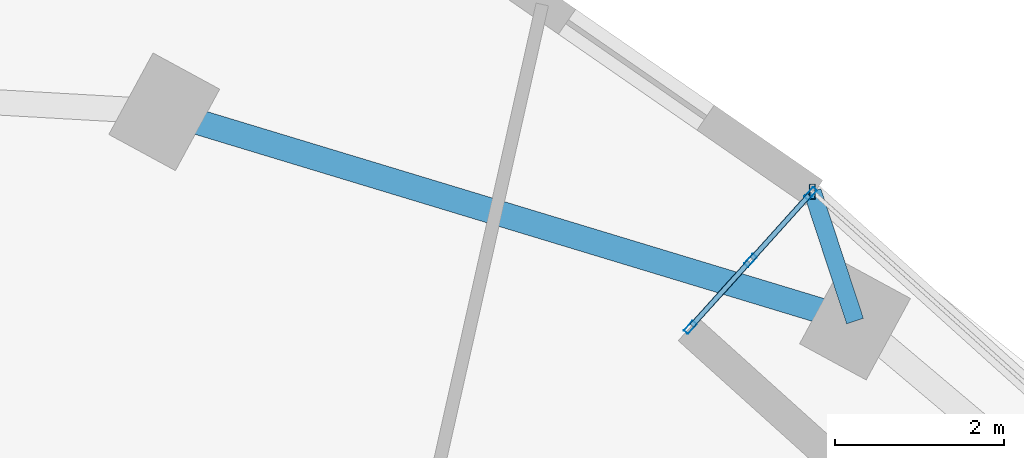
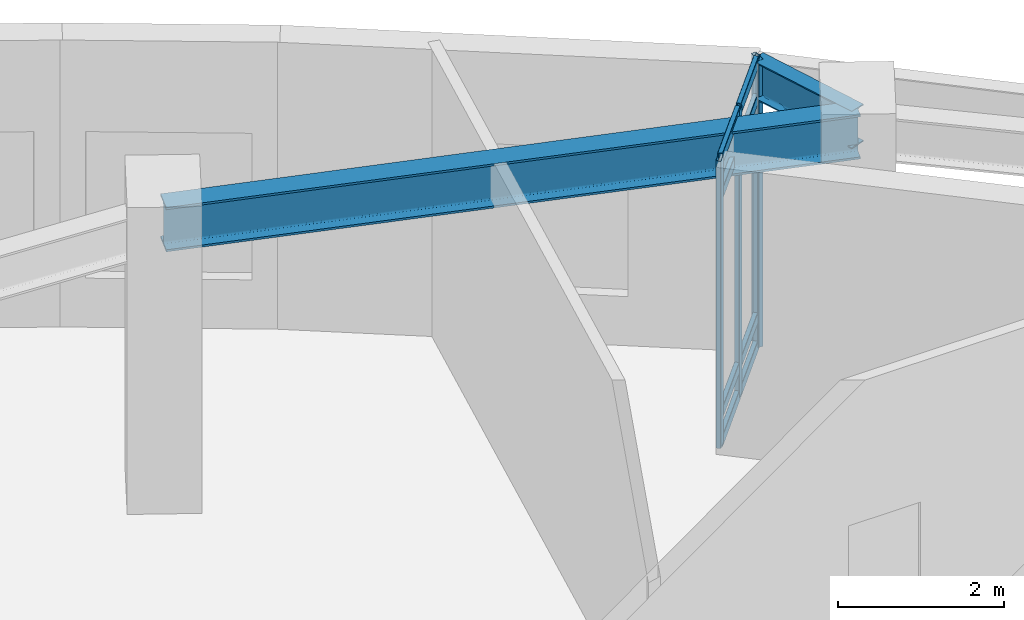
# One storey, part 11 of 19: 12 members, 2 beams, 1 element without a shape of its own.
"""IFC4 building model written with IfcOpenShell, lengths in metres."""

import ifcopenshell
import ifcopenshell.guid

model = None  # the IFC model being written
_history = None  # IfcOwnerHistory: only IFC2X3 demands one
_inside = {}  # id of a spatial element -> (the spatial element, [elements in it])
_under = {}  # id of a project, library or spatial element -> (it, [spatial elements below it])
_declared = {}  # id of a project -> (the project, [libraries it declares])
_typed = {}  # id of a type object -> (the type object, [elements of that type])
_made_of = {}  # id of a material, layer set ... -> (it, [elements and type objects made of it])


def new_model(schema):
    """Start an empty IFC model of exactly this schema.

    Asked for "IFC4X3", IfcOpenShell would pick the latest addendum, in which some entities
    have other attributes; the version numbers below select the first issue.
    IFC2X3 requires an IfcOwnerHistory on every rooted entity: one is made here for all.
    """
    global model, _history
    if schema == "IFC4X3":
        model = ifcopenshell.file(schema_version=(4, 3, 0, 0))
    else:
        model = ifcopenshell.file(schema=schema)
    _inside.clear()
    _under.clear()
    _declared.clear()
    _typed.clear()
    _made_of.clear()
    _history = None
    if model.schema == "IFC2X3":
        org = make("IfcOrganization", Name="unknown")
        user = make(
            "IfcPersonAndOrganization",
            ThePerson=make("IfcPerson", FamilyName="unknown"),
            TheOrganization=org,
        )
        app = make(
            "IfcApplication",
            ApplicationDeveloper=org,
            Version="unknown",
            ApplicationFullName="unknown",
            ApplicationIdentifier="unknown",
        )
        _history = make(
            "IfcOwnerHistory",
            OwningUser=user,
            OwningApplication=app,
            ChangeAction="ADDED",
            CreationDate=0,
        )
    return model


def make(cls, **values):
    """One entity of the class cls with the attributes given. An attribute that is None is left unset."""
    return model.create_entity(
        cls, **{name: value for name, value in values.items() if value is not None}
    )


def rooted(cls, **values):
    """An entity with a GlobalId (a new one), such as an element, a storey or a relation."""
    return make(cls, GlobalId=ifcopenshell.guid.new(), OwnerHistory=_history, **values)


def si_unit(unit_type, name, prefix=None):
    """IfcSIUnit, for example si_unit("LENGTHUNIT", "METRE", prefix="MILLI")."""
    return make("IfcSIUnit", UnitType=unit_type, Prefix=prefix, Name=name)


def assignment(units):
    """IfcUnitAssignment: the units of a project."""
    return None if units is None else make("IfcUnitAssignment", Units=units)


def point(xyz):
    """IfcCartesianPoint."""
    return None if xyz is None else make("IfcCartesianPoint", Coordinates=xyz)


def direction(xyz):
    """IfcDirection."""
    return None if xyz is None else make("IfcDirection", DirectionRatios=xyz)


def frame(location, z_axis=None, x_axis=None):
    """IfcAxis2Placement3D, a coordinate frame: its origin and axes. An axis left out is left unset."""
    return make(
        "IfcAxis2Placement3D",
        Location=point(location),
        Axis=direction(z_axis),
        RefDirection=direction(x_axis),
    )


def frame_2d(location, x_axis=None):
    """IfcAxis2Placement2D, a coordinate frame in the plane: its origin and x axis."""
    return make(
        "IfcAxis2Placement2D", Location=point(location), RefDirection=direction(x_axis)
    )


def origin():
    """The frame at (0, 0, 0) with its axes left unset."""
    return frame((0.0, 0.0, 0.0))


def origin_2d():
    """The frame at (0, 0) in the plane with its x axis left unset."""
    return frame_2d((0.0, 0.0))


def place(relative_to, where):
    """IfcLocalPlacement: puts the frame where relative to a parent placement (None: the world)."""
    return make(
        "IfcLocalPlacement", PlacementRelTo=relative_to, RelativePlacement=where
    )


def context(
    kind, dimensions, precision=None, world=None, true_north=None, identifier=None
):
    """IfcGeometricRepresentationContext, for example the 3D "Model" context."""
    return make(
        "IfcGeometricRepresentationContext",
        ContextIdentifier=identifier,
        ContextType=kind,
        CoordinateSpaceDimension=dimensions,
        Precision=precision,
        WorldCoordinateSystem=world,
        TrueNorth=true_north,
    )


def subcontext(parent, identifier, kind, view, scale=None):
    """IfcGeometricRepresentationSubContext, for example "Body" below "Model"."""
    return make(
        "IfcGeometricRepresentationSubContext",
        ContextIdentifier=identifier,
        ContextType=kind,
        ParentContext=parent,
        TargetScale=scale,
        TargetView=view,
    )


def project(units=None, contexts=None):
    """IfcProject with its units and contexts."""
    return rooted(
        "IfcProject",
        Name="project",
        RepresentationContexts=contexts,
        UnitsInContext=assignment(units),
    )


def spatial(cls, under=None, at=None, **own):
    """A site, building, storey or space (cls), placed at a placement, below another one or the project."""
    s = rooted(cls, ObjectPlacement=at, **own)
    if under is not None:
        _under.setdefault(under.id(), (under, []))[1].append(s)
    return s


def profile(cls, at=None, kind="AREA", **sizes):
    """A parametric profile (cls). Its sizes go by their IFC names, for example OverallWidth=200.0."""
    return make(cls, ProfileType=kind, Position=at, **sizes)


def hollow_rectangle(**sizes):
    """IfcRectangleHollowProfileDef."""
    return profile("IfcRectangleHollowProfileDef", **sizes)


def i_section(**sizes):
    """IfcIShapeProfileDef."""
    return profile("IfcIShapeProfileDef", **sizes)


def extrude(swept, where, along, depth):
    """IfcExtrudedAreaSolid: the profile swept, set in the frame where, extruded along a direction by depth."""
    return make(
        "IfcExtrudedAreaSolid",
        SweptArea=swept,
        Position=where,
        ExtrudedDirection=direction(along),
        Depth=depth,
    )


def shape(context_of_items, identifier, shape_type, items):
    """IfcShapeRepresentation: the items that make up one representation, for example the "Body"."""
    return make(
        "IfcShapeRepresentation",
        ContextOfItems=context_of_items,
        RepresentationIdentifier=identifier,
        RepresentationType=shape_type,
        Items=items,
    )


def material(Name=None, Category=None):
    """IfcMaterial."""
    return make("IfcMaterial", Name=Name, Category=Category)


def layer(
    of_material, thickness, ventilated=None, Name=None, Category=None, Priority=None
):
    """IfcMaterialLayer: one layer of a wall or slab, of a material (None: an air gap)."""
    return make(
        "IfcMaterialLayer",
        Material=of_material,
        LayerThickness=thickness,
        IsVentilated=ventilated,
        Name=Name,
        Category=Category,
        Priority=Priority,
    )


def layer_set(layers, Name=None):
    """IfcMaterialLayerSet."""
    return make("IfcMaterialLayerSet", MaterialLayers=layers, LayerSetName=Name)


def material_profile(
    of_material, cross_section, Name=None, Category=None, Priority=None
):
    """IfcMaterialProfile: a cross section and its material."""
    return make(
        "IfcMaterialProfile",
        Name=Name,
        Material=of_material,
        Profile=cross_section,
        Priority=Priority,
        Category=Category,
    )


def profile_set(profiles, Name=None, composite=None):
    """IfcMaterialProfileSet."""
    return make(
        "IfcMaterialProfileSet",
        Name=Name,
        MaterialProfiles=profiles,
        CompositeProfile=composite,
    )


def made_of(thing, what):
    """Note that an element or type object is made of a material, layer set ...; save() writes the relation."""
    if what is not None:
        _made_of.setdefault(what.id(), (what, []))[1].append(thing)
    return thing


def type_object(cls, material=None, **own):
    """A type object (cls), such as IfcWallType, which elements share."""
    return made_of(rooted(cls, **own), material)


def element(
    cls,
    number,
    at=None,
    inside=None,
    cuts=None,
    type_object=None,
    material=None,
    context=None,
    identifier="Body",
    shape_type=None,
    held_by="IfcProductDefinitionShape",
    body=None,
    shapes=None,
    **own,
):
    """One element of the class cls, such as IfcWall. Its Tag is "e" and its number.

    at: its placement. inside: the storey or other place that contains it. cuts: it is an
    opening in that element (IfcRelVoidsElement). A single representation is given by context,
    identifier, shape_type and body (its items); several are given by shapes. held_by: the class
    of the entity that holds the representations. save() writes the other relations.
    """
    e = rooted(cls, Tag="e%d" % number, ObjectPlacement=at, **own)
    if body is not None:
        shapes = [shape(context, identifier, shape_type, body)]
    if shapes is not None:
        e.Representation = make(held_by, Representations=shapes)
    if inside is not None:
        _inside.setdefault(inside.id(), (inside, []))[1].append(e)
    if cuts is not None:
        rooted(
            "IfcRelVoidsElement", RelatingBuildingElement=cuts, RelatedOpeningElement=e
        )
    if type_object is not None:
        _typed.setdefault(type_object.id(), (type_object, []))[1].append(e)
    return made_of(e, material)


def aggregate(whole, parts):
    """IfcRelAggregates: a whole, such as a stair, and the parts it consists of."""
    return rooted("IfcRelAggregates", RelatingObject=whole, RelatedObjects=parts)


def save(model, path):
    """Write the relations noted so far, then the file.

    IfcRelAggregates (storeys below a building ...), IfcRelContainedInSpatialStructure (elements
    in a storey), IfcRelDefinesByType, IfcRelAssociatesMaterial and IfcRelDeclares: one each for
    every whole, place, type object, material and project.
    """
    for whole, parts in _under.values():
        aggregate(whole, parts)
    for where, things in _inside.values():
        rooted(
            "IfcRelContainedInSpatialStructure",
            RelatedElements=things,
            RelatingStructure=where,
        )
    for kind, things in _typed.values():
        rooted("IfcRelDefinesByType", RelatedObjects=things, RelatingType=kind)
    for what, things in _made_of.values():
        rooted("IfcRelAssociatesMaterial", RelatedObjects=things, RelatingMaterial=what)
    for by, libraries in _declared.values():
        rooted("IfcRelDeclares", RelatingContext=by, RelatedDefinitions=libraries)
    model.write(path)


model = new_model("IFC4")

# Units and contexts
model_context = context("Model", 3, precision=1e-05, world=origin(), true_north=direction((0.0, 1.0)))
body_context = subcontext(model_context, "Body", "Model", "MODEL_VIEW")
ifc_project = project(units=[si_unit("LENGTHUNIT", "METRE"), si_unit("AREAUNIT", "SQUARE_METRE"), si_unit("VOLUMEUNIT", "CUBIC_METRE"), si_unit("PLANEANGLEUNIT", "RADIAN"), si_unit("MASSUNIT", "GRAM", prefix="KILO")], contexts=[model_context])

# Site, building, storey
site_placement = place(None, origin())
site = spatial("IfcSite", under=ifc_project, at=site_placement, CompositionType="ELEMENT")
building_placement = place(site_placement, origin())
building = spatial("IfcBuilding", under=site, at=building_placement, Name="Ndelora Gate Hotel", CompositionType="ELEMENT")
storey_placement = place(building_placement, frame((0.0, 0.0, 88.25)))
storey = spatial("IfcBuildingStorey", under=building, at=storey_placement, Name="L21", CompositionType="ELEMENT", Elevation=88.25)

# Beams
ifc_material_1 = material(Name="Steel S355", Category="steel")
ifc_material_profile_1 = material_profile(ifc_material_1, i_section(OverallWidth=0.2099609375, OverallDepth=0.550048828125, WebThickness=0.010986328125, FlangeThickness=0.01708984375, FilletRadius=0.02392578125, at=origin_2d()), Name="IPE 550")
ifc_profile_set_1 = profile_set([ifc_material_profile_1], Name="Steel S355")
beam_type_1 = type_object("IfcBeamType", Name="BM-RAD-550", PredefinedType="BEAM", material=ifc_profile_set_1)
beam_1_placement = place(storey_placement, frame((7.759033203125, 14.290283203125, 3.93505859375), z_axis=(-0.31233226674, 0.949972923379, 0.0), x_axis=(-0.949972923379, -0.31233226674, 0.0)))
element("IfcBeam", 1, at=beam_1_placement, inside=storey, type_object=beam_type_1, Name="L21 Sky-Garden Loggia Column Bracket 3", PredefinedType="BEAM", context=body_context, shape_type="SweptSolid", body=[
    extrude(i_section(OverallWidth=0.2099609375, OverallDepth=0.550048828125, WebThickness=0.010986328125, FlangeThickness=0.01708984375, FilletRadius=0.02392578125, at=origin_2d()), origin(), (0.0, 0.0, 1.0), 1.6181640625),
])
ifc_material_profile_2 = material_profile(ifc_material_1, i_section(OverallWidth=0.300048828125, OverallDepth=0.64990234375, WebThickness=0.01611328125, FlangeThickness=0.031005859375, FilletRadius=0.027099609375, at=origin_2d()), Name="HEB 650")
ifc_profile_set_2 = profile_set([ifc_material_profile_2], Name="Steel S355")
beam_type_2 = type_object("IfcBeamType", Name="BM-RING-650", PredefinedType="SPANDREL", material=ifc_profile_set_2)
beam_2_placement = place(storey_placement, frame((7.759033203125, 14.290283203125, 3.885009765625), z_axis=(-0.957030396662, 0.289987620192, 0.0), x_axis=(-0.289987620192, -0.957030396662, 0.0)))
element("IfcBeam", 2, at=beam_2_placement, inside=storey, type_object=beam_type_2, Name="L21 Perimeter Spandrel Girder 11", PredefinedType="SPANDREL", context=body_context, shape_type="SweptSolid", body=[
    extrude(i_section(OverallWidth=0.300048828125, OverallDepth=0.64990234375, WebThickness=0.01611328125, FlangeThickness=0.031005859375, FilletRadius=0.027099609375, at=origin_2d()), origin(), (0.0, 0.0, 1.0), 8.56640625),
])

# Curtain wall, members
ifc_material_2 = material(Name="Bronze Anodised Unitised Aluminium and Low-E Glass", Category="aluminium")
ifc_layer = layer(ifc_material_2, 0.199951171875)
ifc_layer_set = layer_set([ifc_layer], Name="Bronze Anodised Unitised Aluminium and Low-E Glass")
curtain_wall_type = type_object("IfcCurtainWallType", Name="CW-SYS-3", PredefinedType="NOTDEFINED", material=ifc_layer_set)
curtain_wall_placement = place(storey_placement, origin())
curtain_wall = element("IfcCurtainWall", 3, at=curtain_wall_placement, inside=storey, type_object=curtain_wall_type, Name="L21 Sky-Garden Loggia Side Curtain Wall CW3-2", PredefinedType="NOTDEFINED")
ifc_material_3 = material(Name="Bronze Anodised Aluminium 6063-T6", Category="aluminium")
ifc_material_profile_3 = material_profile(ifc_material_3, hollow_rectangle(XDim=0.06494140625, YDim=0.159912109375, WallThickness=0.00390625, InnerFilletRadius=0.00390625, OuterFilletRadius=0.008056640625, at=origin_2d()), Name="ALU 160x65x4")
ifc_profile_set_3 = profile_set([ifc_material_profile_3], Name="Bronze Anodised Aluminium 6063-T6")
member_type_1 = type_object("IfcMemberType", Name="MB-CW-MUL150", PredefinedType="MULLION", material=ifc_profile_set_3)
member_1_placement = place(storey_placement, frame((7.23193359375, 15.80322265625, -0.00390625), z_axis=(0.0, 0.0, 1.0), x_axis=(0.743138173886, -0.669137993626, 0.0)))
member_1 = element("IfcMember", 4, at=member_1_placement, type_object=member_type_1, Name="CW3 mullion 1", PredefinedType="MULLION", context=body_context, shape_type="SweptSolid", body=[
    extrude(hollow_rectangle(XDim=0.06494140625, YDim=0.159912109375, WallThickness=0.00390625, InnerFilletRadius=0.00390625, OuterFilletRadius=0.008056640625, at=origin_2d()), origin(), (0.0, 0.0, 1.0), 4.218017578125),
])
member_2_placement = place(storey_placement, frame((6.517578125, 15.009765625, -0.00390625), z_axis=(0.0, 0.0, 1.0), x_axis=(0.743138173886, -0.669137993626, 0.0)))
member_2 = element("IfcMember", 5, at=member_2_placement, type_object=member_type_1, Name="CW3 mullion 2", PredefinedType="MULLION", context=body_context, shape_type="SweptSolid", body=[
    extrude(hollow_rectangle(XDim=0.06494140625, YDim=0.159912109375, WallThickness=0.00390625, InnerFilletRadius=0.00390625, OuterFilletRadius=0.008056640625, at=origin_2d()), origin(), (0.0, 0.0, 1.0), 4.218017578125),
])
member_3_placement = place(storey_placement, frame((5.803466796875, 14.216552734375, -0.00390625), z_axis=(0.0, 0.0, 1.0), x_axis=(0.743138173886, -0.669137993626, 0.0)))
member_3 = element("IfcMember", 6, at=member_3_placement, type_object=member_type_1, Name="CW3 mullion 3", PredefinedType="MULLION", context=body_context, shape_type="SweptSolid", body=[
    extrude(hollow_rectangle(XDim=0.06494140625, YDim=0.159912109375, WallThickness=0.00390625, InnerFilletRadius=0.00390625, OuterFilletRadius=0.008056640625, at=origin_2d()), origin(), (0.0, 0.0, 1.0), 4.218017578125),
])
ifc_material_profile_4 = material_profile(ifc_material_3, hollow_rectangle(XDim=0.070068359375, YDim=0.179931640625, WallThickness=0.0048828125, InnerFilletRadius=0.0048828125, OuterFilletRadius=0.010009765625, at=origin_2d()), Name="ALU 180x70x5")
ifc_profile_set_4 = profile_set([ifc_material_profile_4], Name="Bronze Anodised Aluminium 6063-T6")
member_type_2 = type_object("IfcMemberType", Name="MB-CW-MUL180", PredefinedType="MULLION", material=ifc_profile_set_4)
member_4_placement = place(storey_placement, frame((7.253662109375, 15.827392578125, 0.0), z_axis=(0.0, 0.0, 1.0), x_axis=(1.0, 0.0, 0.0)))
member_4 = element("IfcMember", 7, at=member_4_placement, type_object=member_type_2, Name="L21 Sky-Garden Loggia Corner Mullion Post 2", PredefinedType="MULLION", context=body_context, shape_type="SweptSolid", body=[
    extrude(hollow_rectangle(XDim=0.070068359375, YDim=0.179931640625, WallThickness=0.0048828125, InnerFilletRadius=0.0048828125, OuterFilletRadius=0.010009765625, at=origin_2d()), origin(), (0.0, 0.0, 1.0), 4.2099609375),
])
ifc_material_profile_5 = material_profile(ifc_material_3, hollow_rectangle(XDim=0.06494140625, YDim=0.159912109375, WallThickness=0.00390625, InnerFilletRadius=0.00390625, OuterFilletRadius=0.008056640625, at=origin_2d()), Name="ALU 160x65x4")
ifc_profile_set_5 = profile_set([ifc_material_profile_5], Name="Bronze Anodised Aluminium 6063-T6")
member_type_3 = type_object("IfcMemberType", Name="MB-CW-TRN150", PredefinedType="USERDEFINED", material=ifc_profile_set_5)
member_5_placement = place(storey_placement, frame((7.214111328125, 15.783447265625, 0.032470703125), z_axis=(-0.669071099604, -0.743198401287, 0.0), x_axis=(0.743198401287, -0.669071099604, 0.0)))
member_5 = element("IfcMember", 8, at=member_5_placement, type_object=member_type_3, Name="CW3 transom 1.1", ObjectType="TRANSOM", PredefinedType="USERDEFINED", context=body_context, shape_type="SweptSolid", body=[
    extrude(hollow_rectangle(XDim=0.06494140625, YDim=0.159912109375, WallThickness=0.00390625, InnerFilletRadius=0.00390625, OuterFilletRadius=0.008056640625, at=origin_2d()), origin(), (0.0, 0.0, 1.0), 1.014404296875),
])
member_6_placement = place(storey_placement, frame((7.214111328125, 15.783447265625, 0.449951171875), z_axis=(-0.669071099604, -0.743198401287, 0.0), x_axis=(0.743198401287, -0.669071099604, 0.0)))
member_6 = element("IfcMember", 9, at=member_6_placement, type_object=member_type_3, Name="CW3 transom 1.2", ObjectType="TRANSOM", PredefinedType="USERDEFINED", context=body_context, shape_type="SweptSolid", body=[
    extrude(hollow_rectangle(XDim=0.06494140625, YDim=0.159912109375, WallThickness=0.00390625, InnerFilletRadius=0.00390625, OuterFilletRadius=0.008056640625, at=origin_2d()), origin(), (0.0, 0.0, 1.0), 1.014404296875),
])
member_7_placement = place(storey_placement, frame((7.214111328125, 15.783447265625, 3.659912109375), z_axis=(-0.669071099604, -0.743198401287, 0.0), x_axis=(0.743198401287, -0.669071099604, 0.0)))
member_7 = element("IfcMember", 10, at=member_7_placement, type_object=member_type_3, Name="CW3 transom 1.3", ObjectType="TRANSOM", PredefinedType="USERDEFINED", context=body_context, shape_type="SweptSolid", body=[
    extrude(hollow_rectangle(XDim=0.06494140625, YDim=0.159912109375, WallThickness=0.00390625, InnerFilletRadius=0.00390625, OuterFilletRadius=0.008056640625, at=origin_2d()), origin(), (0.0, 0.0, 1.0), 1.014404296875),
])
member_8_placement = place(storey_placement, frame((7.214111328125, 15.783447265625, 4.177490234375), z_axis=(-0.669071099604, -0.743198401287, 0.0), x_axis=(0.743198401287, -0.669071099604, 0.0)))
member_8 = element("IfcMember", 11, at=member_8_placement, type_object=member_type_3, Name="CW3 transom 1.4", ObjectType="TRANSOM", PredefinedType="USERDEFINED", context=body_context, shape_type="SweptSolid", body=[
    extrude(hollow_rectangle(XDim=0.06494140625, YDim=0.159912109375, WallThickness=0.00390625, InnerFilletRadius=0.00390625, OuterFilletRadius=0.008056640625, at=origin_2d()), origin(), (0.0, 0.0, 1.0), 1.014404296875),
])
member_9_placement = place(storey_placement, frame((6.5, 14.990234375, 0.032470703125), z_axis=(-0.669204001786, -0.743078733375, 0.0), x_axis=(0.743078733375, -0.669204001786, 0.0)))
member_9 = element("IfcMember", 12, at=member_9_placement, type_object=member_type_3, Name="CW3 transom 2.1", ObjectType="TRANSOM", PredefinedType="USERDEFINED", context=body_context, shape_type="SweptSolid", body=[
    extrude(hollow_rectangle(XDim=0.06494140625, YDim=0.159912109375, WallThickness=0.00390625, InnerFilletRadius=0.00390625, OuterFilletRadius=0.008056640625, at=origin_2d()), origin(), (0.0, 0.0, 1.0), 1.0146484375),
])
member_10_placement = place(storey_placement, frame((6.5, 14.990234375, 0.449951171875), z_axis=(-0.669204001786, -0.743078733375, 0.0), x_axis=(0.743078733375, -0.669204001786, 0.0)))
member_10 = element("IfcMember", 13, at=member_10_placement, type_object=member_type_3, Name="CW3 transom 2.2", ObjectType="TRANSOM", PredefinedType="USERDEFINED", context=body_context, shape_type="SweptSolid", body=[
    extrude(hollow_rectangle(XDim=0.06494140625, YDim=0.159912109375, WallThickness=0.00390625, InnerFilletRadius=0.00390625, OuterFilletRadius=0.008056640625, at=origin_2d()), origin(), (0.0, 0.0, 1.0), 1.0146484375),
])
member_11_placement = place(storey_placement, frame((6.5, 14.990234375, 3.659912109375), z_axis=(-0.669204001786, -0.743078733375, 0.0), x_axis=(0.743078733375, -0.669204001786, 0.0)))
member_11 = element("IfcMember", 14, at=member_11_placement, type_object=member_type_3, Name="CW3 transom 2.3", ObjectType="TRANSOM", PredefinedType="USERDEFINED", context=body_context, shape_type="SweptSolid", body=[
    extrude(hollow_rectangle(XDim=0.06494140625, YDim=0.159912109375, WallThickness=0.00390625, InnerFilletRadius=0.00390625, OuterFilletRadius=0.008056640625, at=origin_2d()), origin(), (0.0, 0.0, 1.0), 1.0146484375),
])
member_12_placement = place(storey_placement, frame((6.5, 14.990234375, 4.177490234375), z_axis=(-0.669204001786, -0.743078733375, 0.0), x_axis=(0.743078733375, -0.669204001786, 0.0)))
member_12 = element("IfcMember", 15, at=member_12_placement, type_object=member_type_3, Name="CW3 transom 2.4", ObjectType="TRANSOM", PredefinedType="USERDEFINED", context=body_context, shape_type="SweptSolid", body=[
    extrude(hollow_rectangle(XDim=0.06494140625, YDim=0.159912109375, WallThickness=0.00390625, InnerFilletRadius=0.00390625, OuterFilletRadius=0.008056640625, at=origin_2d()), origin(), (0.0, 0.0, 1.0), 1.0146484375),
])
aggregate(curtain_wall, [member_1, member_2, member_3, member_5, member_6, member_7, member_8, member_9, member_10, member_11, member_12, member_4])

save(model, "model.ifc")
